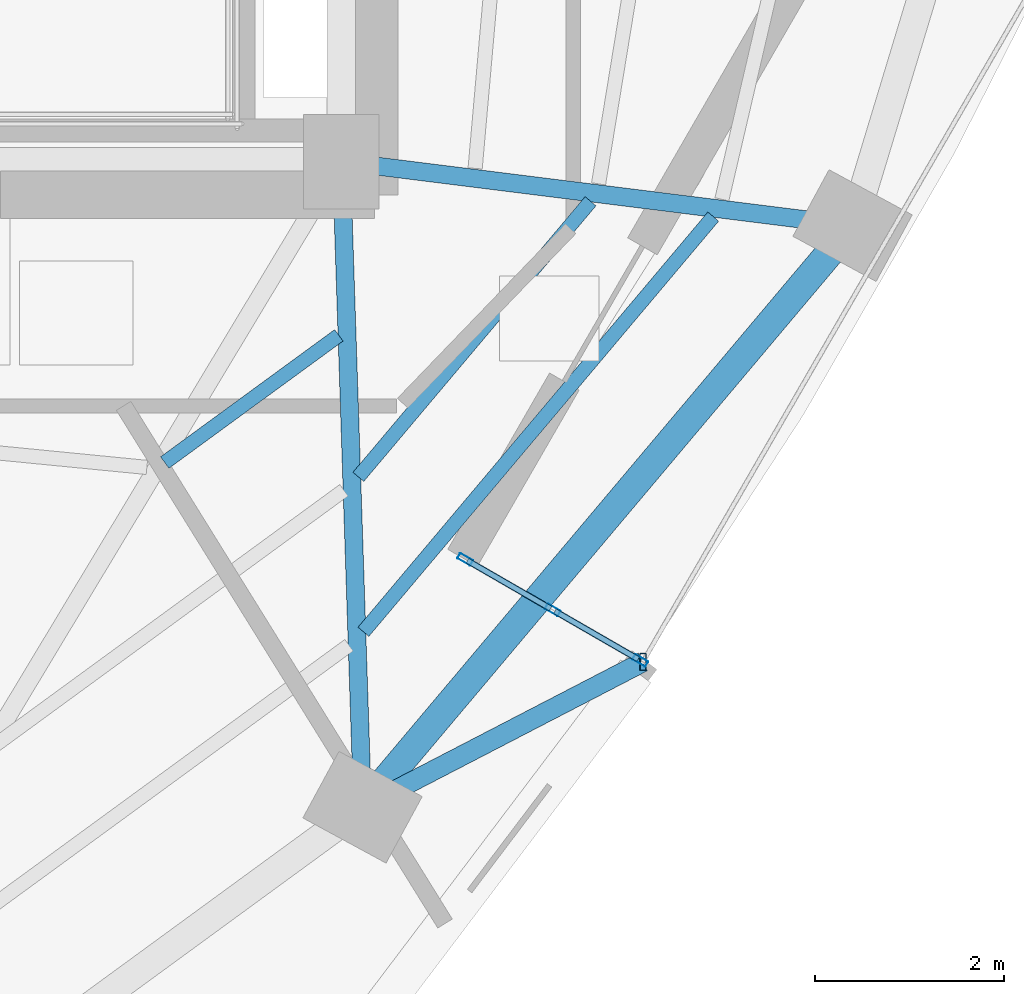
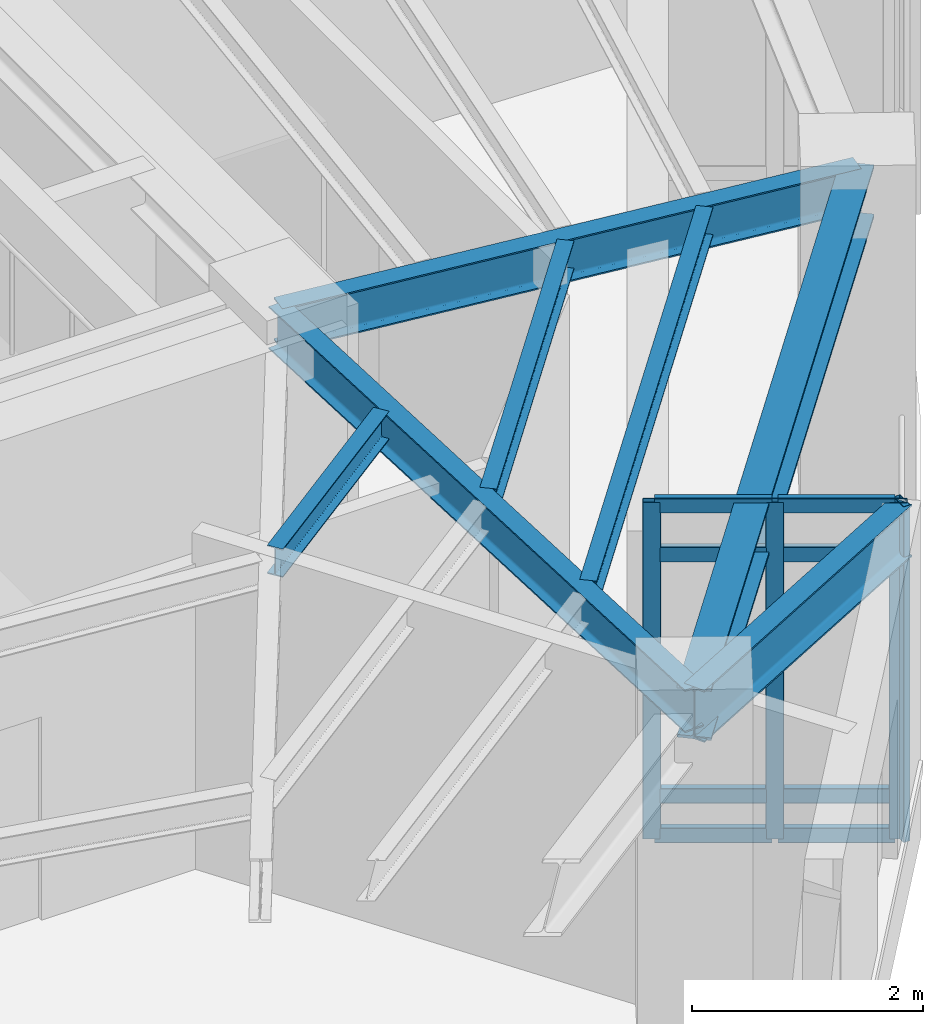
# One storey, part 2 of 12: 12 members, 7 beams, 1 element without a shape of its own.
"""IFC4 building model written with IfcOpenShell, lengths in metres."""

from ifc_helpers import new_model, si_unit, direction, frame, origin, origin_2d, place, context, subcontext, project, spatial, hollow_rectangle, i_section, extrude, material, layer, layer_set, material_profile, profile_set, type_object, element, aggregate, save


model = new_model("IFC4")

# Units and contexts
model_context = context("Model", 3, precision=1e-05, world=origin(), true_north=direction((0.0, 1.0)))
body_context = subcontext(model_context, "Body", "Model", "MODEL_VIEW")
ifc_project = project(units=[si_unit("LENGTHUNIT", "METRE"), si_unit("AREAUNIT", "SQUARE_METRE"), si_unit("VOLUMEUNIT", "CUBIC_METRE"), si_unit("PLANEANGLEUNIT", "RADIAN"), si_unit("MASSUNIT", "GRAM", prefix="KILO")], contexts=[model_context])

# Site, building, storey
site_placement = place(None, origin())
site = spatial("IfcSite", under=ifc_project, at=site_placement, CompositionType="ELEMENT")
building_placement = place(site_placement, origin())
building = spatial("IfcBuilding", under=site, at=building_placement, Name="Ndelora Gate Hotel", CompositionType="ELEMENT")
storey_placement = place(building_placement, frame((0.0, 0.0, 205.550048828125)))
storey = spatial("IfcBuildingStorey", under=building, at=storey_placement, Name="L51", CompositionType="ELEMENT", Elevation=205.550048828125)

# Beams
ifc_material_1 = material(Name="Steel S355", Category="steel")
ifc_material_profile_1 = material_profile(ifc_material_1, i_section(OverallWidth=0.14990234375, OverallDepth=0.300048828125, WebThickness=0.007080078125, FlangeThickness=0.0107421875, FilletRadius=0.014892578125, at=origin_2d()), Name="IPE 300")
ifc_profile_set_1 = profile_set([ifc_material_profile_1], Name="Steel S355")
beam_type_1 = type_object("IfcBeamType", Name="BM-JST-300", PredefinedType="JOIST", material=ifc_profile_set_1)
beam_1_placement = place(storey_placement, frame((6.134521484375, -9.77880859375, 3.39990234375), z_axis=(0.80739897839, 0.590005838696, 0.0), x_axis=(-0.590005838696, 0.80739897839, 0.0)))
element("IfcBeam", 1, at=beam_1_placement, inside=storey, type_object=beam_type_1, Name="L51 Secondary Composite Floor Joist IN-5", PredefinedType="JOIST", context=body_context, shape_type="SweptSolid", body=[
    extrude(i_section(OverallWidth=0.14990234375, OverallDepth=0.300048828125, WebThickness=0.007080078125, FlangeThickness=0.0107421875, FilletRadius=0.014892578125, at=origin_2d()), origin(), (0.0, 0.0, 1.0), 2.277587890625),
])
beam_2_placement = place(storey_placement, frame((8.1796875, -9.9296875, 3.39990234375), z_axis=(0.644319387893, 0.764756514444, 0.0), x_axis=(-0.764756514444, 0.644319387893, 0.0)))
element("IfcBeam", 2, at=beam_2_placement, inside=storey, type_object=beam_type_1, Name="L51 Secondary Composite Floor Joist MID-6", PredefinedType="JOIST", context=body_context, shape_type="SweptSolid", body=[
    extrude(i_section(OverallWidth=0.14990234375, OverallDepth=0.300048828125, WebThickness=0.007080078125, FlangeThickness=0.0107421875, FilletRadius=0.014892578125, at=origin_2d()), origin(), (0.0, 0.0, 1.0), 3.806884765625),
])
beam_3_placement = place(storey_placement, frame((8.2333984375, -11.56640625, 3.39990234375), z_axis=(0.644324492463, 0.764752213735, 0.0), x_axis=(-0.764752213735, 0.644324492463, 0.0)))
element("IfcBeam", 3, at=beam_3_placement, inside=storey, type_object=beam_type_1, Name="L51 Secondary Composite Floor Joist OUT-6", PredefinedType="JOIST", context=body_context, shape_type="SweptSolid", body=[
    extrude(i_section(OverallWidth=0.14990234375, OverallDepth=0.300048828125, WebThickness=0.007080078125, FlangeThickness=0.0107421875, FilletRadius=0.014892578125, at=origin_2d()), origin(), (0.0, 0.0, 1.0), 5.735107421875),
])
ifc_material_profile_2 = material_profile(ifc_material_1, i_section(OverallWidth=0.18994140625, OverallDepth=0.449951171875, WebThickness=0.009521484375, FlangeThickness=0.0146484375, FilletRadius=0.02099609375, at=origin_2d()), Name="IPE 450")
ifc_profile_set_2 = profile_set([ifc_material_profile_2], Name="Steel S355")
beam_type_2 = type_object("IfcBeamType", Name="BM-RAD-450", PredefinedType="BEAM", material=ifc_profile_set_2)
beam_4_placement = place(storey_placement, frame((8.0, -6.60009765625, 3.324951171875), z_axis=(0.032809705109, -0.999461616697, 0.0), x_axis=(0.999461616697, 0.032809705109, 0.0)))
element("IfcBeam", 4, at=beam_4_placement, inside=storey, type_object=beam_type_2, Name="L51 Radial Floor Girder 6", PredefinedType="BEAM", context=body_context, shape_type="SweptSolid", body=[
    extrude(i_section(OverallWidth=0.18994140625, OverallDepth=0.449951171875, WebThickness=0.009521484375, FlangeThickness=0.0146484375, FilletRadius=0.02099609375, at=origin_2d()), origin(), (0.0, 0.0, 1.0), 6.823486328125),
])
beam_5_placement = place(storey_placement, frame((8.0, -6.60009765625, 3.324951171875), z_axis=(0.992266830725, -0.124123070552, 0.0), x_axis=(0.124123070552, 0.992266830725, 0.0)))
element("IfcBeam", 5, at=beam_5_placement, inside=storey, type_object=beam_type_2, Name="L51 Radial Floor Girder 7", PredefinedType="BEAM", context=body_context, shape_type="SweptSolid", body=[
    extrude(i_section(OverallWidth=0.18994140625, OverallDepth=0.449951171875, WebThickness=0.009521484375, FlangeThickness=0.0146484375, FilletRadius=0.02099609375, at=origin_2d()), origin(), (0.0, 0.0, 1.0), 5.4423828125),
])
ifc_material_profile_3 = material_profile(ifc_material_1, i_section(OverallWidth=0.2099609375, OverallDepth=0.550048828125, WebThickness=0.010986328125, FlangeThickness=0.01708984375, FilletRadius=0.02392578125, at=origin_2d()), Name="IPE 550")
ifc_profile_set_3 = profile_set([ifc_material_profile_3], Name="Steel S355")
beam_type_3 = type_object("IfcBeamType", Name="BM-RAD-550", PredefinedType="BEAM", material=ifc_profile_set_3)
beam_6_placement = place(storey_placement, frame((8.223876953125, -13.419921875, 3.27490234375), z_axis=(0.88789405856, 0.4600479766, 0.0), x_axis=(-0.4600479766, 0.88789405856, 0.0)))
element("IfcBeam", 6, at=beam_6_placement, inside=storey, type_object=beam_type_3, Name="L51 Sky-Garden Loggia Column Bracket 1", PredefinedType="BEAM", context=body_context, shape_type="SweptSolid", body=[
    extrude(i_section(OverallWidth=0.2099609375, OverallDepth=0.550048828125, WebThickness=0.010986328125, FlangeThickness=0.01708984375, FilletRadius=0.02392578125, at=origin_2d()), origin(), (0.0, 0.0, 1.0), 3.3359375),
])
ifc_material_profile_4 = material_profile(ifc_material_1, i_section(OverallWidth=0.300048828125, OverallDepth=0.550048828125, WebThickness=0.014892578125, FlangeThickness=0.029052734375, FilletRadius=0.027099609375, at=origin_2d()), Name="HEB 550")
ifc_profile_set_4 = profile_set([ifc_material_profile_4], Name="Steel S355")
beam_type_4 = type_object("IfcBeamType", Name="BM-RING-550", PredefinedType="SPANDREL", material=ifc_profile_set_4)
beam_7_placement = place(storey_placement, frame((8.223876953125, -13.419921875, 3.27490234375), z_axis=(0.644308845181, 0.764765396721, 0.0), x_axis=(-0.764765396721, 0.644308845181, 0.0)))
element("IfcBeam", 7, at=beam_7_placement, inside=storey, type_object=beam_type_4, Name="L51 Perimeter Spandrel Girder 6", PredefinedType="SPANDREL", context=body_context, shape_type="SweptSolid", body=[
    extrude(i_section(OverallWidth=0.300048828125, OverallDepth=0.550048828125, WebThickness=0.014892578125, FlangeThickness=0.029052734375, FilletRadius=0.027099609375, at=origin_2d()), origin(), (0.0, 0.0, 1.0), 8.0341796875),
])

# Curtain wall, members
ifc_material_2 = material(Name="Bronze Anodised Unitised Aluminium and Low-E Glass", Category="aluminium")
ifc_layer = layer(ifc_material_2, 0.199951171875)
ifc_layer_set = layer_set([ifc_layer], Name="Bronze Anodised Unitised Aluminium and Low-E Glass")
curtain_wall_type = type_object("IfcCurtainWallType", Name="CW-SYS-3", PredefinedType="NOTDEFINED", material=ifc_layer_set)
curtain_wall_placement = place(storey_placement, origin())
curtain_wall = element("IfcCurtainWall", 8, at=curtain_wall_placement, inside=storey, type_object=curtain_wall_type, Name="L51 Sky-Garden Loggia Side Curtain Wall CW3-1", PredefinedType="NOTDEFINED")
ifc_material_3 = material(Name="Bronze Anodised Aluminium 6063-T6", Category="aluminium")
ifc_material_profile_5 = material_profile(ifc_material_3, hollow_rectangle(XDim=0.06494140625, YDim=0.159912109375, WallThickness=0.00390625, InnerFilletRadius=0.00390625, OuterFilletRadius=0.008056640625, at=origin_2d()), Name="ALU 160x65x4")
ifc_profile_set_5 = profile_set([ifc_material_profile_5], Name="Bronze Anodised Aluminium 6063-T6")
member_type_1 = type_object("IfcMemberType", Name="MB-CW-MUL150", PredefinedType="MULLION", material=ifc_profile_set_5)
member_1_placement = place(storey_placement, frame((9.308837890625, -10.801513671875, -0.004150390625), z_axis=(0.0, 0.0, 1.0), x_axis=(0.499991317892, 0.866030416344, 0.0)))
member_1 = element("IfcMember", 9, at=member_1_placement, type_object=member_type_1, Name="CW3 mullion 1", PredefinedType="MULLION", context=body_context, shape_type="SweptSolid", body=[
    extrude(hollow_rectangle(XDim=0.06494140625, YDim=0.159912109375, WallThickness=0.00390625, InnerFilletRadius=0.00390625, OuterFilletRadius=0.008056640625, at=origin_2d()), origin(), (0.0, 0.0, 1.0), 3.55810546875),
])
member_2_placement = place(storey_placement, frame((10.233154296875, -11.335205078125, -0.004150390625), z_axis=(0.0, 0.0, 1.0), x_axis=(0.499991317892, 0.866030416344, 0.0)))
member_2 = element("IfcMember", 10, at=member_2_placement, type_object=member_type_1, Name="CW3 mullion 2", PredefinedType="MULLION", context=body_context, shape_type="SweptSolid", body=[
    extrude(hollow_rectangle(XDim=0.06494140625, YDim=0.159912109375, WallThickness=0.00390625, InnerFilletRadius=0.00390625, OuterFilletRadius=0.008056640625, at=origin_2d()), origin(), (0.0, 0.0, 1.0), 3.55810546875),
])
member_3_placement = place(storey_placement, frame((11.15771484375, -11.869140625, -0.004150390625), z_axis=(0.0, 0.0, 1.0), x_axis=(0.499991317892, 0.866030416344, 0.0)))
member_3 = element("IfcMember", 11, at=member_3_placement, type_object=member_type_1, Name="CW3 mullion 3", PredefinedType="MULLION", context=body_context, shape_type="SweptSolid", body=[
    extrude(hollow_rectangle(XDim=0.06494140625, YDim=0.159912109375, WallThickness=0.00390625, InnerFilletRadius=0.00390625, OuterFilletRadius=0.008056640625, at=origin_2d()), origin(), (0.0, 0.0, 1.0), 3.55810546875),
])
ifc_material_profile_6 = material_profile(ifc_material_3, hollow_rectangle(XDim=0.070068359375, YDim=0.179931640625, WallThickness=0.0048828125, InnerFilletRadius=0.0048828125, OuterFilletRadius=0.010009765625, at=origin_2d()), Name="ALU 180x70x5")
ifc_profile_set_6 = profile_set([ifc_material_profile_6], Name="Bronze Anodised Aluminium 6063-T6")
member_type_2 = type_object("IfcMemberType", Name="MB-CW-MUL180", PredefinedType="MULLION", material=ifc_profile_set_6)
member_4_placement = place(storey_placement, frame((11.185791015625, -11.88525390625, 0.0), z_axis=(0.0, 0.0, 1.0), x_axis=(1.0, 0.0, 0.0)))
member_4 = element("IfcMember", 12, at=member_4_placement, type_object=member_type_2, Name="L51 Sky-Garden Loggia Corner Mullion Post 1", PredefinedType="MULLION", context=body_context, shape_type="SweptSolid", body=[
    extrude(hollow_rectangle(XDim=0.070068359375, YDim=0.179931640625, WallThickness=0.0048828125, InnerFilletRadius=0.0048828125, OuterFilletRadius=0.010009765625, at=origin_2d()), origin(), (0.0, 0.0, 1.0), 3.550048828125),
])
ifc_material_profile_7 = material_profile(ifc_material_3, hollow_rectangle(XDim=0.06494140625, YDim=0.159912109375, WallThickness=0.00390625, InnerFilletRadius=0.00390625, OuterFilletRadius=0.008056640625, at=origin_2d()), Name="ALU 160x65x4")
ifc_profile_set_7 = profile_set([ifc_material_profile_7], Name="Bronze Anodised Aluminium 6063-T6")
member_type_3 = type_object("IfcMemberType", Name="MB-CW-TRN150", PredefinedType="USERDEFINED", material=ifc_profile_set_7)
member_5_placement = place(storey_placement, frame((9.331787109375, -10.814697265625, 0.032470703125), z_axis=(0.865953096906, -0.50012521828, 0.0), x_axis=(0.50012521828, 0.865953096906, 0.0)))
member_5 = element("IfcMember", 13, at=member_5_placement, type_object=member_type_3, Name="CW3 transom 1.1", ObjectType="TRANSOM", PredefinedType="USERDEFINED", context=body_context, shape_type="SweptSolid", body=[
    extrude(hollow_rectangle(XDim=0.06494140625, YDim=0.159912109375, WallThickness=0.00390625, InnerFilletRadius=0.00390625, OuterFilletRadius=0.008056640625, at=origin_2d()), origin(), (0.0, 0.0, 1.0), 1.014404296875),
])
member_6_placement = place(storey_placement, frame((9.331787109375, -10.814697265625, 0.449951171875), z_axis=(0.865953096906, -0.50012521828, 0.0), x_axis=(0.50012521828, 0.865953096906, 0.0)))
member_6 = element("IfcMember", 14, at=member_6_placement, type_object=member_type_3, Name="CW3 transom 1.2", ObjectType="TRANSOM", PredefinedType="USERDEFINED", context=body_context, shape_type="SweptSolid", body=[
    extrude(hollow_rectangle(XDim=0.06494140625, YDim=0.159912109375, WallThickness=0.00390625, InnerFilletRadius=0.00390625, OuterFilletRadius=0.008056640625, at=origin_2d()), origin(), (0.0, 0.0, 1.0), 1.014404296875),
])
member_7_placement = place(storey_placement, frame((9.331787109375, -10.814697265625, 3.0), z_axis=(0.865953096906, -0.50012521828, 0.0), x_axis=(0.50012521828, 0.865953096906, 0.0)))
member_7 = element("IfcMember", 15, at=member_7_placement, type_object=member_type_3, Name="CW3 transom 1.3", ObjectType="TRANSOM", PredefinedType="USERDEFINED", context=body_context, shape_type="SweptSolid", body=[
    extrude(hollow_rectangle(XDim=0.06494140625, YDim=0.159912109375, WallThickness=0.00390625, InnerFilletRadius=0.00390625, OuterFilletRadius=0.008056640625, at=origin_2d()), origin(), (0.0, 0.0, 1.0), 1.014404296875),
])
member_8_placement = place(storey_placement, frame((9.331787109375, -10.814697265625, 3.517333984375), z_axis=(0.865953096906, -0.50012521828, 0.0), x_axis=(0.50012521828, 0.865953096906, 0.0)))
member_8 = element("IfcMember", 16, at=member_8_placement, type_object=member_type_3, Name="CW3 transom 1.4", ObjectType="TRANSOM", PredefinedType="USERDEFINED", context=body_context, shape_type="SweptSolid", body=[
    extrude(hollow_rectangle(XDim=0.06494140625, YDim=0.159912109375, WallThickness=0.00390625, InnerFilletRadius=0.00390625, OuterFilletRadius=0.008056640625, at=origin_2d()), origin(), (0.0, 0.0, 1.0), 1.014404296875),
])
member_9_placement = place(storey_placement, frame((10.256103515625, -11.3486328125, 0.032470703125), z_axis=(0.866117468088, -0.499840506035, 0.0), x_axis=(0.499840506035, 0.866117468088, 0.0)))
member_9 = element("IfcMember", 17, at=member_9_placement, type_object=member_type_3, Name="CW3 transom 2.1", ObjectType="TRANSOM", PredefinedType="USERDEFINED", context=body_context, shape_type="SweptSolid", body=[
    extrude(hollow_rectangle(XDim=0.06494140625, YDim=0.159912109375, WallThickness=0.00390625, InnerFilletRadius=0.00390625, OuterFilletRadius=0.008056640625, at=origin_2d()), origin(), (0.0, 0.0, 1.0), 1.014404296875),
])
member_10_placement = place(storey_placement, frame((10.256103515625, -11.3486328125, 0.449951171875), z_axis=(0.866117468088, -0.499840506035, 0.0), x_axis=(0.499840506035, 0.866117468088, 0.0)))
member_10 = element("IfcMember", 18, at=member_10_placement, type_object=member_type_3, Name="CW3 transom 2.2", ObjectType="TRANSOM", PredefinedType="USERDEFINED", context=body_context, shape_type="SweptSolid", body=[
    extrude(hollow_rectangle(XDim=0.06494140625, YDim=0.159912109375, WallThickness=0.00390625, InnerFilletRadius=0.00390625, OuterFilletRadius=0.008056640625, at=origin_2d()), origin(), (0.0, 0.0, 1.0), 1.014404296875),
])
member_11_placement = place(storey_placement, frame((10.256103515625, -11.3486328125, 3.0), z_axis=(0.866117468088, -0.499840506035, 0.0), x_axis=(0.499840506035, 0.866117468088, 0.0)))
member_11 = element("IfcMember", 19, at=member_11_placement, type_object=member_type_3, Name="CW3 transom 2.3", ObjectType="TRANSOM", PredefinedType="USERDEFINED", context=body_context, shape_type="SweptSolid", body=[
    extrude(hollow_rectangle(XDim=0.06494140625, YDim=0.159912109375, WallThickness=0.00390625, InnerFilletRadius=0.00390625, OuterFilletRadius=0.008056640625, at=origin_2d()), origin(), (0.0, 0.0, 1.0), 1.014404296875),
])
member_12_placement = place(storey_placement, frame((10.256103515625, -11.3486328125, 3.517333984375), z_axis=(0.866117468088, -0.499840506035, 0.0), x_axis=(0.499840506035, 0.866117468088, 0.0)))
member_12 = element("IfcMember", 20, at=member_12_placement, type_object=member_type_3, Name="CW3 transom 2.4", ObjectType="TRANSOM", PredefinedType="USERDEFINED", context=body_context, shape_type="SweptSolid", body=[
    extrude(hollow_rectangle(XDim=0.06494140625, YDim=0.159912109375, WallThickness=0.00390625, InnerFilletRadius=0.00390625, OuterFilletRadius=0.008056640625, at=origin_2d()), origin(), (0.0, 0.0, 1.0), 1.014404296875),
])
aggregate(curtain_wall, [member_1, member_2, member_3, member_5, member_6, member_7, member_8, member_9, member_10, member_11, member_12, member_4])

save(model, "model.ifc")
